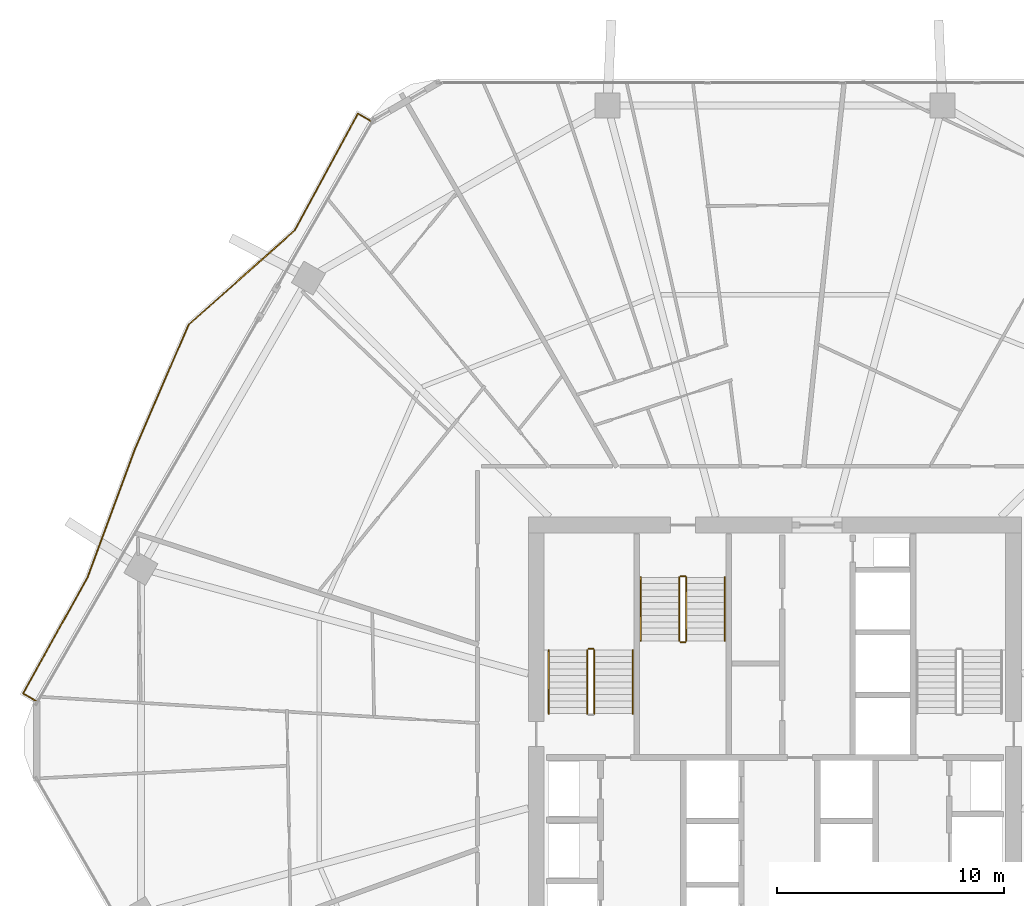
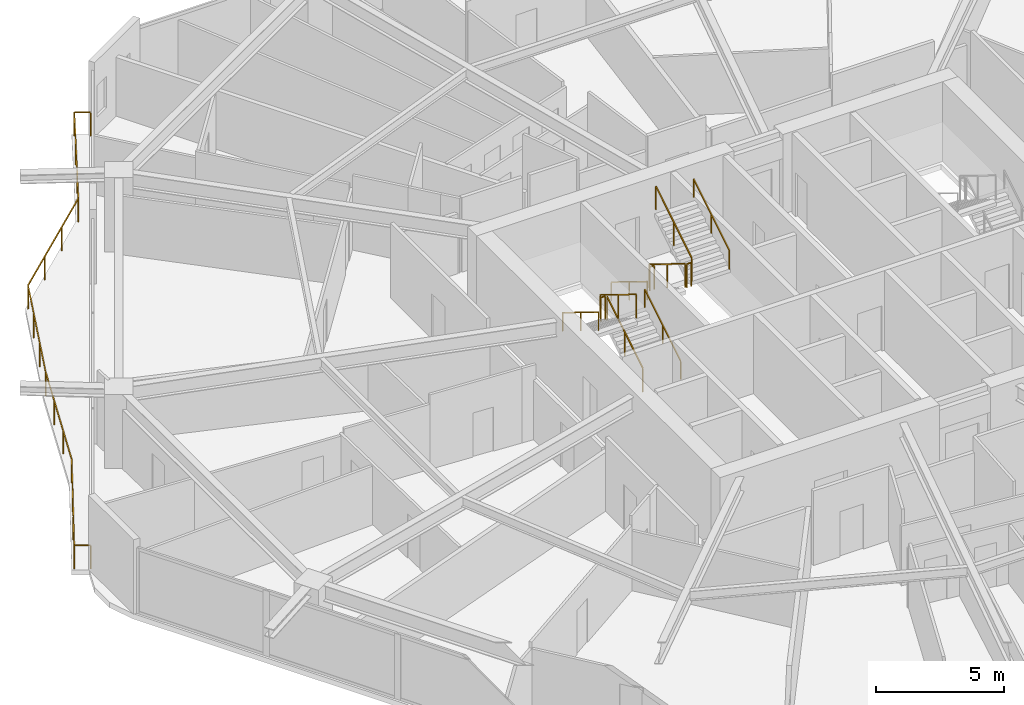
# One storey, part 32 of 33: 12 railings.
"""IFC4 building model written with IfcOpenShell, lengths in metres."""

from ifc_helpers import new_model, si_unit, direction, frame, origin, origin_2d, place, context, subcontext, project, spatial, rectangle, extrude, material, type_object, element, save


model = new_model("IFC4")

# Units and contexts
model_context = context("Model", 3, precision=1e-05, world=origin(), true_north=direction((0.0, 1.0)))
body_context = subcontext(model_context, "Body", "Model", "MODEL_VIEW")
ifc_project = project(units=[si_unit("LENGTHUNIT", "METRE"), si_unit("AREAUNIT", "SQUARE_METRE"), si_unit("VOLUMEUNIT", "CUBIC_METRE"), si_unit("PLANEANGLEUNIT", "RADIAN"), si_unit("MASSUNIT", "GRAM", prefix="KILO")], contexts=[model_context])

# Site, building, storey
site_placement = place(None, origin())
site = spatial("IfcSite", under=ifc_project, at=site_placement, CompositionType="ELEMENT")
building_placement = place(site_placement, origin())
building = spatial("IfcBuilding", under=site, at=building_placement, Name="Zuhravey Tower", CompositionType="ELEMENT")
storey_placement = place(building_placement, frame((0.0, 0.0, 96.199951171875)))
storey = spatial("IfcBuildingStorey", under=building, at=storey_placement, Name="L23", CompositionType="ELEMENT", Elevation=96.199951171875)

# Railings
ifc_material_1 = material(Name="Stainless steel 316 and laminated glass", Category="steel")
railing_type_1 = type_object("IfcRailingType", Name="Balcony & Terrace Guardrail 1150", PredefinedType="BALUSTRADE", material=ifc_material_1)
railing_1_placement = place(storey_placement, frame((3.4833984375, 33.7666015625, 0.0)))
element("IfcRailing", 1, at=railing_1_placement, inside=storey, type_object=railing_type_1, Name="L23 Face 3 Wave Balcony Guardrail GR1", PredefinedType="BALUSTRADE", context=body_context, shape_type="SweptSolid", body=[
    extrude(rectangle(XDim=0.048095703125, YDim=0.048095703125, at=origin_2d()), frame((-0.001708984375, 0.0009765625, 1.1259765625), z_axis=(-0.866033512162, 0.499985955615, 0.0), x_axis=(-0.499985955615, -0.866033512162, 0.0)), (0.0, 0.0, 1.0), 0.6376953125),
    extrude(rectangle(XDim=0.048095703125, YDim=0.048095703125, at=origin_2d()), frame((-0.5546875, 0.322509765625, 1.1259765625), z_axis=(0.485217057802, 0.874393736722, 0.0), x_axis=(-0.874393736722, 0.485217057802, 0.0)), (0.0, 0.0, 1.0), 5.837646484375),
    extrude(rectangle(XDim=0.048095703125, YDim=0.048095703125, at=origin_2d()), frame((2.279541015625, 5.4306640625, 1.1259765625), z_axis=(0.346805985574, 0.937936889332, 0.0), x_axis=(-0.937936889332, 0.346805985574, 0.0)), (0.0, 0.0, 1.0), 6.0185546875),
    extrude(rectangle(XDim=0.048095703125, YDim=0.048095703125, at=origin_2d()), frame((4.3681640625, 11.079345703125, 1.1259765625), z_axis=(0.396172552794, 0.91817607702, 0.0), x_axis=(-0.91817607702, 0.396172552794, 0.0)), (0.0, 0.0, 1.0), 5.94287109375),
    extrude(rectangle(XDim=0.048095703125, YDim=0.048095703125, at=origin_2d()), frame((6.724853515625, 16.538818359375, 1.1259765625), z_axis=(0.747260461792, 0.66453126506, 0.0), x_axis=(-0.66453126506, 0.747260461792, 0.0)), (0.0, 0.0, 1.0), 6.240478515625),
    extrude(rectangle(XDim=0.048095703125, YDim=0.048095703125, at=origin_2d()), frame((11.390625, 20.68896484375, 1.1259765625), z_axis=(0.476525198518, 0.879160813035, 0.0), x_axis=(-0.879160813035, 0.476525198518, 0.0)), (0.0, 0.0, 1.0), 5.84423828125),
    extrude(rectangle(XDim=0.048095703125, YDim=0.048095703125, at=origin_2d()), frame((14.17822265625, 25.827880859375, 1.1259765625), z_axis=(0.866089912433, -0.499888251095, 0.0), x_axis=(0.499888251095, 0.866089912433, 0.0)), (0.0, 0.0, 1.0), 0.63330078125),
    extrude(rectangle(XDim=0.0419921875, YDim=0.0419921875, at=origin_2d()), origin(), (0.0, 0.0, 1.0), 1.099853515625),
    extrude(rectangle(XDim=0.0419921875, YDim=0.0419921875, at=origin_2d()), frame((-0.5556640625, 0.32080078125, 0.0)), (0.0, 0.0, 1.0), 1.099853515625),
    extrude(rectangle(XDim=0.0419921875, YDim=0.0419921875, at=origin_2d()), frame((0.38916015625, 2.0234375, 0.0)), (0.0, 0.0, 1.0), 1.099853515625),
    extrude(rectangle(XDim=0.0419921875, YDim=0.0419921875, at=origin_2d()), frame((1.333984375, 3.72607421875, 0.0)), (0.0, 0.0, 1.0), 1.099853515625),
    extrude(rectangle(XDim=0.0419921875, YDim=0.0419921875, at=origin_2d()), frame((2.27880859375, 5.4287109375, 0.0)), (0.0, 0.0, 1.0), 1.099853515625),
    extrude(rectangle(XDim=0.0419921875, YDim=0.0419921875, at=origin_2d()), frame((2.97509765625, 7.3115234375, 0.0)), (0.0, 0.0, 1.0), 1.099853515625),
    extrude(rectangle(XDim=0.0419921875, YDim=0.0419921875, at=origin_2d()), frame((3.671142578125, 9.194580078125, 0.0)), (0.0, 0.0, 1.0), 1.099853515625),
    extrude(rectangle(XDim=0.0419921875, YDim=0.0419921875, at=origin_2d()), frame((4.367431640625, 11.077392578125, 0.0)), (0.0, 0.0, 1.0), 1.099853515625),
    extrude(rectangle(XDim=0.0419921875, YDim=0.0419921875, at=origin_2d()), frame((5.15283203125, 12.8974609375, 0.0)), (0.0, 0.0, 1.0), 1.099853515625),
    extrude(rectangle(XDim=0.0419921875, YDim=0.0419921875, at=origin_2d()), frame((5.93798828125, 14.717529296875, 0.0)), (0.0, 0.0, 1.0), 1.099853515625),
    extrude(rectangle(XDim=0.0419921875, YDim=0.0419921875, at=origin_2d()), frame((6.723388671875, 16.53759765625, 0.0)), (0.0, 0.0, 1.0), 1.099853515625),
    extrude(rectangle(XDim=0.0419921875, YDim=0.0419921875, at=origin_2d()), frame((8.27880859375, 17.9208984375, 0.0)), (0.0, 0.0, 1.0), 1.099853515625),
    extrude(rectangle(XDim=0.0419921875, YDim=0.0419921875, at=origin_2d()), frame((9.834228515625, 19.303955078125, 0.0)), (0.0, 0.0, 1.0), 1.099853515625),
    extrude(rectangle(XDim=0.0419921875, YDim=0.0419921875, at=origin_2d()), frame((11.3896484375, 20.687255859375, 0.0)), (0.0, 0.0, 1.0), 1.099853515625),
    extrude(rectangle(XDim=0.0419921875, YDim=0.0419921875, at=origin_2d()), frame((12.318603515625, 22.401123046875, 0.0)), (0.0, 0.0, 1.0), 1.099853515625),
    extrude(rectangle(XDim=0.0419921875, YDim=0.0419921875, at=origin_2d()), frame((13.24755859375, 24.114990234375, 0.0)), (0.0, 0.0, 1.0), 1.099853515625),
    extrude(rectangle(XDim=0.0419921875, YDim=0.0419921875, at=origin_2d()), frame((14.176513671875, 25.828857421875, 0.0)), (0.0, 0.0, 1.0), 1.099853515625),
    extrude(rectangle(XDim=0.0419921875, YDim=0.0419921875, at=origin_2d()), frame((14.728515625, 25.51025390625, 0.0)), (0.0, 0.0, 1.0), 1.099853515625),
])
ifc_material_2 = material(Name="Brushed stainless steel", Category="steel")
railing_type_2 = type_object("IfcRailingType", Name="Stair Wall Handrail 900", PredefinedType="HANDRAIL", material=ifc_material_2)
railing_2_placement = place(storey_placement, frame((29.75, 33.199951171875, 0.1728515625)))
element("IfcRailing", 2, at=railing_2_placement, inside=storey, type_object=railing_type_2, Name="L23 ST1 stair handrail 1", PredefinedType="HANDRAIL", context=body_context, shape_type="SweptSolid", body=[
    extrude(rectangle(XDim=0.048095703125, YDim=0.048095703125, at=origin_2d()), frame((0.0, 0.001708984375, 0.876953125), z_axis=(0.0, 0.851089632645, 0.525020415988), x_axis=(-1.0, 0.0, 0.0)), (0.0, 0.0, 1.0), 3.285888671875),
    extrude(rectangle(XDim=0.0419921875, YDim=0.0419921875, at=origin_2d()), origin(), (0.0, 0.0, 1.0), 0.849853515625),
    extrude(rectangle(XDim=0.0419921875, YDim=0.0419921875, at=origin_2d()), frame((0.0, 1.39990234375, 0.86376953125)), (0.0, 0.0, 1.0), 0.849853515625),
    extrude(rectangle(XDim=0.0419921875, YDim=0.0419921875, at=origin_2d()), frame((0.0, 2.800048828125, 1.727294921875)), (0.0, 0.0, 1.0), 0.849853515625),
])
for number, where, name in (
    (3, (26.050048828125, 36.0, 2.07275390625), "L23 ST1 stair handrail 2"),
    (4, (30.10009765625, 39.199951171875, 0.1728515625), "L23 ST3 stair handrail 1"),
):
    element("IfcRailing", number, at=place(storey_placement, frame(where)), inside=storey, type_object=railing_type_2, Name=name, PredefinedType="HANDRAIL", context=body_context, shape_type="SweptSolid", body=[
        extrude(rectangle(XDim=0.048095703125, YDim=0.048095703125, at=origin_2d()), frame((0.0, -0.001708984375, 0.876953125), z_axis=(0.0, -0.851089632645, 0.525020415988), x_axis=(1.0, 0.0, 0.0)), (0.0, 0.0, 1.0), 3.285888671875),
        extrude(rectangle(XDim=0.0419921875, YDim=0.0419921875, at=origin_2d()), origin(), (0.0, 0.0, 1.0), 0.849853515625),
        extrude(rectangle(XDim=0.0419921875, YDim=0.0419921875, at=origin_2d()), frame((0.0, -1.39990234375, 0.86376953125)), (0.0, 0.0, 1.0), 0.849853515625),
        extrude(rectangle(XDim=0.0419921875, YDim=0.0419921875, at=origin_2d()), frame((0.0, -2.800048828125, 1.727294921875)), (0.0, 0.0, 1.0), 0.849853515625),
    ])
railing_3_placement = place(storey_placement, frame((33.800048828125, 36.39990234375, 2.07275390625)))
element("IfcRailing", 5, at=railing_3_placement, inside=storey, type_object=railing_type_2, Name="L23 ST3 stair handrail 2", PredefinedType="HANDRAIL", context=body_context, shape_type="SweptSolid", body=[
    extrude(rectangle(XDim=0.048095703125, YDim=0.048095703125, at=origin_2d()), frame((0.0, 0.001708984375, 0.876953125), z_axis=(0.0, 0.851089632645, 0.525020415988), x_axis=(-1.0, 0.0, 0.0)), (0.0, 0.0, 1.0), 3.285888671875),
    extrude(rectangle(XDim=0.0419921875, YDim=0.0419921875, at=origin_2d()), origin(), (0.0, 0.0, 1.0), 0.849853515625),
    extrude(rectangle(XDim=0.0419921875, YDim=0.0419921875, at=origin_2d()), frame((0.0, 1.39990234375, 0.86376953125)), (0.0, 0.0, 1.0), 0.849853515625),
    extrude(rectangle(XDim=0.0419921875, YDim=0.0419921875, at=origin_2d()), frame((0.0, 2.800048828125, 1.727294921875)), (0.0, 0.0, 1.0), 0.849853515625),
])
ifc_material_3 = material(Name="Painted tubular steel", Category="steel")
railing_type_3 = type_object("IfcRailingType", Name="Stair Well Guardrail 1150", PredefinedType="GUARDRAIL", material=ifc_material_3)
railing_4_placement = place(storey_placement, frame((28.050048828125, 33.199951171875, 0.1728515625)))
element("IfcRailing", 6, at=railing_4_placement, inside=storey, type_object=railing_type_3, Name="L23 ST1 stair guard 1", PredefinedType="GUARDRAIL", context=body_context, shape_type="SweptSolid", body=[
    extrude(rectangle(XDim=0.048095703125, YDim=0.048095703125, at=origin_2d()), frame((0.0, 0.001708984375, 1.126953125), z_axis=(0.0, 0.851089632645, 0.525020415988), x_axis=(-1.0, 0.0, 0.0)), (0.0, 0.0, 1.0), 3.285888671875),
    extrude(rectangle(XDim=0.0419921875, YDim=0.0419921875, at=origin_2d()), origin(), (0.0, 0.0, 1.0), 1.099853515625),
    extrude(rectangle(XDim=0.0419921875, YDim=0.0419921875, at=origin_2d()), frame((0.0, 1.39990234375, 0.86376953125)), (0.0, 0.0, 1.0), 1.099853515625),
    extrude(rectangle(XDim=0.0419921875, YDim=0.0419921875, at=origin_2d()), frame((0.0, 2.800048828125, 1.727294921875)), (0.0, 0.0, 1.0), 1.099853515625),
])
railing_5_placement = place(storey_placement, frame((28.0, 36.050048828125, 1.900146484375)))
element("IfcRailing", 7, at=railing_5_placement, inside=storey, type_object=railing_type_3, Name="L23 ST1 stair guard 2", PredefinedType="GUARDRAIL", context=body_context, shape_type="SweptSolid", body=[
    extrude(rectangle(XDim=0.048095703125, YDim=0.048095703125, at=origin_2d()), frame((-0.001953125, 0.0, 1.1259765625), z_axis=(-1.0, 0.0, 0.0), x_axis=(0.0, -1.0, 0.0)), (0.0, 0.0, 1.0), 0.196044921875),
    extrude(rectangle(XDim=0.0419921875, YDim=0.0419921875, at=origin_2d()), origin(), (0.0, 0.0, 1.0), 1.099853515625),
    extrude(rectangle(XDim=0.0419921875, YDim=0.0419921875, at=origin_2d()), frame((-0.199951171875, 0.0, 0.0)), (0.0, 0.0, 1.0), 1.099853515625),
])
for number, where, name in (
    (8, (27.75, 36.0, 2.07275390625), "L23 ST1 stair guard 3"),
    (9, (31.800048828125, 39.199951171875, 0.1728515625), "L23 ST3 stair guard 1"),
):
    element("IfcRailing", number, at=place(storey_placement, frame(where)), inside=storey, type_object=railing_type_3, Name=name, PredefinedType="GUARDRAIL", context=body_context, shape_type="SweptSolid", body=[
        extrude(rectangle(XDim=0.048095703125, YDim=0.048095703125, at=origin_2d()), frame((0.0, -0.001708984375, 1.126953125), z_axis=(0.0, -0.851089632645, 0.525020415988), x_axis=(1.0, 0.0, 0.0)), (0.0, 0.0, 1.0), 3.285888671875),
        extrude(rectangle(XDim=0.0419921875, YDim=0.0419921875, at=origin_2d()), origin(), (0.0, 0.0, 1.0), 1.099853515625),
        extrude(rectangle(XDim=0.0419921875, YDim=0.0419921875, at=origin_2d()), frame((0.0, -1.39990234375, 0.86376953125)), (0.0, 0.0, 1.0), 1.099853515625),
        extrude(rectangle(XDim=0.0419921875, YDim=0.0419921875, at=origin_2d()), frame((0.0, -2.800048828125, 1.727294921875)), (0.0, 0.0, 1.0), 1.099853515625),
    ])
railing_6_placement = place(storey_placement, frame((31.85009765625, 36.35009765625, 1.900146484375)))
element("IfcRailing", 10, at=railing_6_placement, inside=storey, type_object=railing_type_3, Name="L23 ST3 stair guard 2", PredefinedType="GUARDRAIL", context=body_context, shape_type="SweptSolid", body=[
    extrude(rectangle(XDim=0.048095703125, YDim=0.048095703125, at=origin_2d()), frame((0.001953125, 0.0, 1.1259765625), z_axis=(1.0, 0.0, 0.0), x_axis=(0.0, 1.0, 0.0)), (0.0, 0.0, 1.0), 0.196044921875),
    extrude(rectangle(XDim=0.0419921875, YDim=0.0419921875, at=origin_2d()), origin(), (0.0, 0.0, 1.0), 1.099853515625),
    extrude(rectangle(XDim=0.0419921875, YDim=0.0419921875, at=origin_2d()), frame((0.199951171875, 0.0, 0.0)), (0.0, 0.0, 1.0), 1.099853515625),
])
railing_7_placement = place(storey_placement, frame((32.10009765625, 36.39990234375, 2.07275390625)))
element("IfcRailing", 11, at=railing_7_placement, inside=storey, type_object=railing_type_3, Name="L23 ST3 stair guard 3", PredefinedType="GUARDRAIL", context=body_context, shape_type="SweptSolid", body=[
    extrude(rectangle(XDim=0.048095703125, YDim=0.048095703125, at=origin_2d()), frame((0.0, 0.001708984375, 1.126953125), z_axis=(0.0, 0.851089632645, 0.525020415988), x_axis=(-1.0, 0.0, 0.0)), (0.0, 0.0, 1.0), 3.285888671875),
    extrude(rectangle(XDim=0.0419921875, YDim=0.0419921875, at=origin_2d()), origin(), (0.0, 0.0, 1.0), 1.099853515625),
    extrude(rectangle(XDim=0.0419921875, YDim=0.0419921875, at=origin_2d()), frame((0.0, 1.39990234375, 0.86376953125)), (0.0, 0.0, 1.0), 1.099853515625),
    extrude(rectangle(XDim=0.0419921875, YDim=0.0419921875, at=origin_2d()), frame((0.0, 2.800048828125, 1.727294921875)), (0.0, 0.0, 1.0), 1.099853515625),
])
railing_8_placement = place(storey_placement, frame((31.85009765625, 39.25, 0.0)))
element("IfcRailing", 12, at=railing_8_placement, inside=storey, type_object=railing_type_3, Name="L23 ST3 stair guard 4", PredefinedType="GUARDRAIL", context=body_context, shape_type="SweptSolid", body=[
    extrude(rectangle(XDim=0.048095703125, YDim=0.048095703125, at=origin_2d()), frame((0.001953125, 0.0, 1.1259765625), z_axis=(1.0, 0.0, 0.0), x_axis=(0.0, 1.0, 0.0)), (0.0, 0.0, 1.0), 0.196044921875),
    extrude(rectangle(XDim=0.0419921875, YDim=0.0419921875, at=origin_2d()), origin(), (0.0, 0.0, 1.0), 1.099853515625),
    extrude(rectangle(XDim=0.0419921875, YDim=0.0419921875, at=origin_2d()), frame((0.199951171875, 0.0, 0.0)), (0.0, 0.0, 1.0), 1.099853515625),
])

save(model, "model.ifc")
